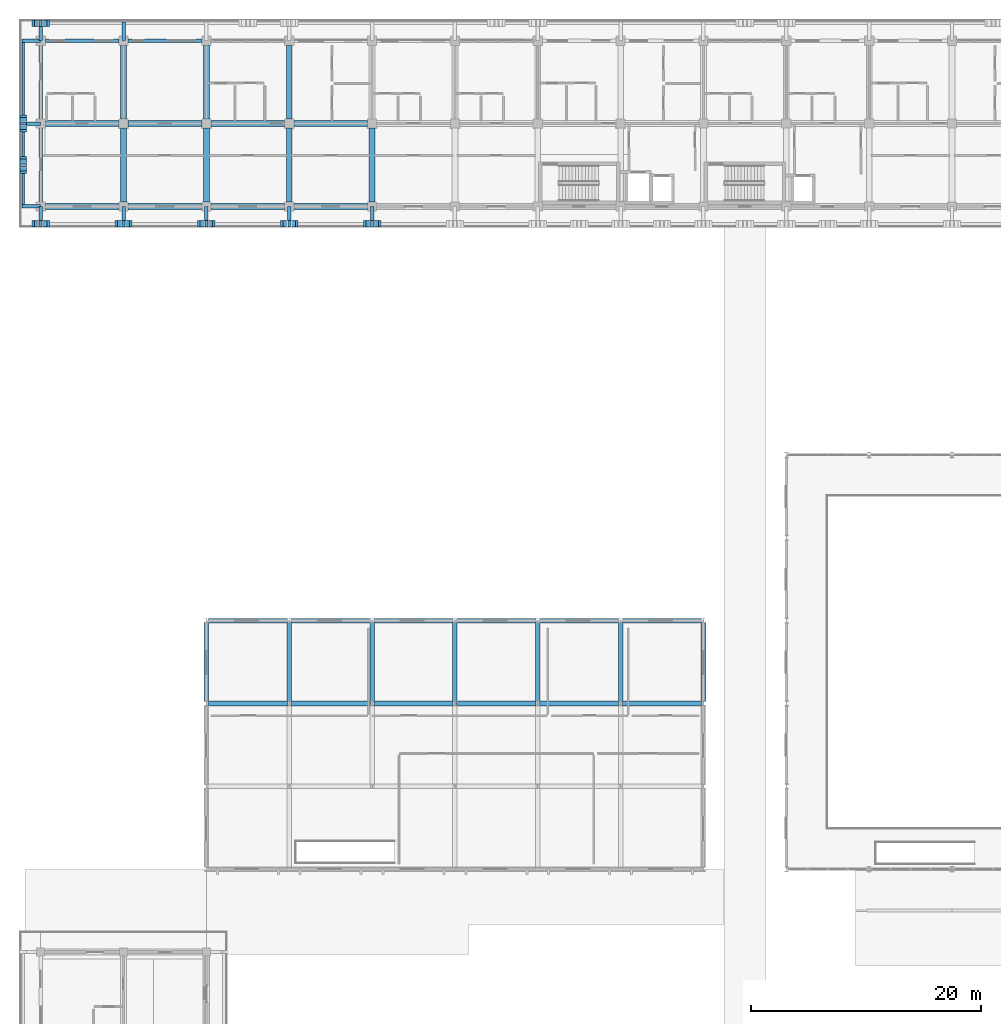
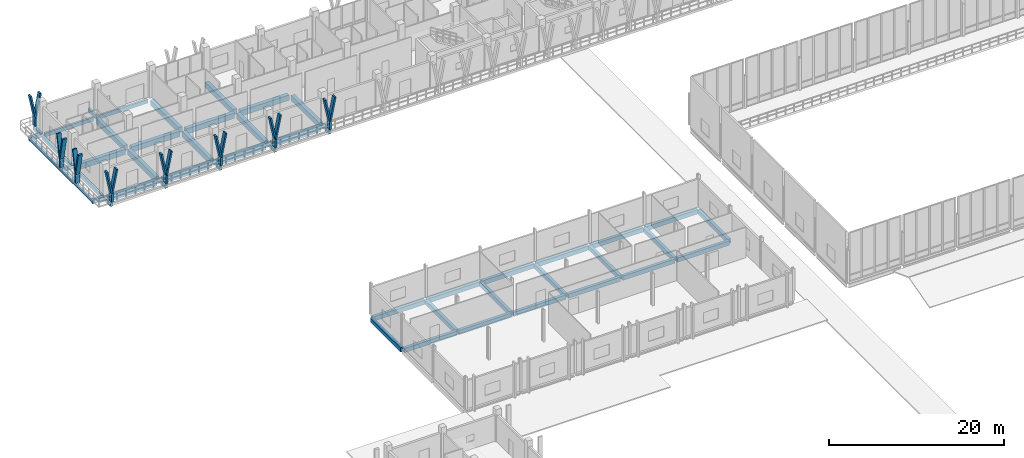
# One storey, part 26 of 110: 49 beams, 24 members.
"""IFC4 building model written with IfcOpenShell, lengths in metres."""

from ifc_helpers import new_model, si_unit, direction, frame, origin, origin_2d, place, context, subcontext, project, spatial, rectangle, extrude, material, material_profile, profile_set, type_object, element, save


model = new_model("IFC4")

# Units and contexts
model_context = context("Model", 3, precision=1e-05, world=origin(), true_north=direction((0.0, 1.0)))
body_context = subcontext(model_context, "Body", "Model", "MODEL_VIEW")
ifc_project = project(units=[si_unit("LENGTHUNIT", "METRE"), si_unit("AREAUNIT", "SQUARE_METRE"), si_unit("VOLUMEUNIT", "CUBIC_METRE"), si_unit("PLANEANGLEUNIT", "RADIAN"), si_unit("MASSUNIT", "GRAM", prefix="KILO")], contexts=[model_context])

# Site, building, storey
site_placement = place(None, origin())
site = spatial("IfcSite", under=ifc_project, at=site_placement, CompositionType="ELEMENT")
building_placement = place(site_placement, origin())
building = spatial("IfcBuilding", under=site, at=building_placement, Name="Suanplinth Sawtooth Commons", CompositionType="ELEMENT")
storey_placement = place(building_placement, frame((0.0, 0.0, 4.5)))
storey = spatial("IfcBuildingStorey", under=building, at=storey_placement, Name="L01", CompositionType="ELEMENT", Elevation=4.5)

# Beams
ifc_material_1 = material(Name="Concrete C40/50", Category="concrete")
ifc_material_profile_1 = material_profile(ifc_material_1, rectangle(XDim=0.5, YDim=0.75, at=origin_2d()), Name="RC-GDR 500x750")
ifc_profile_set_1 = profile_set([ifc_material_profile_1], Name="Concrete C40/50")
beam_type_1 = type_object("IfcBeamType", Name="B-03", PredefinedType="USERDEFINED", material=ifc_profile_set_1)
for number, where, z_axis, x_axis, name in (
    (1, (0.39990234375, 108.0, -0.675048828125), (1.0, 0.0, 0.0), (0.0, 1.0, 0.0), "BMX-L01-A-0-15"),
    (2, (0.39990234375, 115.199951171875, -0.675048828125), (1.0, 0.0, 0.0), (0.0, 1.0, 0.0), "BMX-L01-A-0-16"),
):
    element("IfcBeam", number, at=place(storey_placement, frame(where, z_axis=z_axis, x_axis=x_axis)), inside=storey, type_object=beam_type_1, Name=name, ObjectType="GIRDER", PredefinedType="USERDEFINED", context=body_context, shape_type="SweptSolid", body=[
        extrude(rectangle(XDim=0.5, YDim=0.75, at=origin_2d()), origin(), (0.0, 0.0, 1.0), 6.400146484375),
    ])
for number, where, z_axis, x_axis, name in (
    (3, (7.60009765625, 108.0, -0.675048828125), (1.0, 0.0, 0.0), (0.0, 1.0, 0.0), "BMX-L01-A-1-15"),
    (4, (7.60009765625, 115.199951171875, -0.675048828125), (1.0, 0.0, 0.0), (0.0, 1.0, 0.0), "BMX-L01-A-1-16"),
    (5, (14.800048828125, 108.0, -0.675048828125), (1.0, 0.0, 0.0), (0.0, 1.0, 0.0), "BMX-L01-A-2-15"),
    (6, (14.800048828125, 115.199951171875, -0.675048828125), (1.0, 0.0, 0.0), (0.0, 1.0, 0.0), "BMX-L01-A-2-16"),
    (7, (22.0, 108.0, -0.675048828125), (1.0, 0.0, 0.0), (0.0, 1.0, 0.0), "BMX-L01-A-3-15"),
    (8, (22.0, 115.199951171875, -0.675048828125), (1.0, 0.0, 0.0), (0.0, 1.0, 0.0), "BMX-L01-A-3-16"),
):
    element("IfcBeam", number, at=place(storey_placement, frame(where, z_axis=z_axis, x_axis=x_axis)), inside=storey, type_object=beam_type_1, Name=name, ObjectType="GIRDER", PredefinedType="USERDEFINED", context=body_context, shape_type="SweptSolid", body=[
        extrude(rectangle(XDim=0.5, YDim=0.75, at=origin_2d()), origin(), (0.0, 0.0, 1.0), 6.39990234375),
    ])
beam_1_placement = place(storey_placement, frame((7.199951171875, 108.39990234375, -0.675048828125), z_axis=(0.0, 1.0, 0.0), x_axis=(-1.0, 0.0, 0.0)))
element("IfcBeam", 9, at=beam_1_placement, inside=storey, type_object=beam_type_1, Name="BMY-L01-A-1-15", ObjectType="GIRDER", PredefinedType="USERDEFINED", context=body_context, shape_type="SweptSolid", body=[
    extrude(rectangle(XDim=0.5, YDim=0.75, at=origin_2d()), origin(), (0.0, 0.0, 1.0), 6.400146484375),
])
beam_2_placement = place(storey_placement, frame((7.199951171875, 115.60009765625, -0.675048828125), z_axis=(0.0, 1.0, 0.0), x_axis=(-1.0, 0.0, 0.0)))
element("IfcBeam", 10, at=beam_2_placement, inside=storey, type_object=beam_type_1, Name="BMY-L01-A-1-16", ObjectType="GIRDER", PredefinedType="USERDEFINED", context=body_context, shape_type="SweptSolid", body=[
    extrude(rectangle(XDim=0.5, YDim=0.75, at=origin_2d()), origin(), (0.0, 0.0, 1.0), 6.39990234375),
])
beam_3_placement = place(storey_placement, frame((14.39990234375, 108.39990234375, -0.675048828125), z_axis=(0.0, 1.0, 0.0), x_axis=(-1.0, 0.0, 0.0)))
element("IfcBeam", 11, at=beam_3_placement, inside=storey, type_object=beam_type_1, Name="BMY-L01-A-2-15", ObjectType="GIRDER", PredefinedType="USERDEFINED", context=body_context, shape_type="SweptSolid", body=[
    extrude(rectangle(XDim=0.5, YDim=0.75, at=origin_2d()), origin(), (0.0, 0.0, 1.0), 6.400146484375),
])
beam_4_placement = place(storey_placement, frame((14.39990234375, 115.60009765625, -0.675048828125), z_axis=(0.0, 1.0, 0.0), x_axis=(-1.0, 0.0, 0.0)))
element("IfcBeam", 12, at=beam_4_placement, inside=storey, type_object=beam_type_1, Name="BMY-L01-A-2-16", ObjectType="GIRDER", PredefinedType="USERDEFINED", context=body_context, shape_type="SweptSolid", body=[
    extrude(rectangle(XDim=0.5, YDim=0.75, at=origin_2d()), origin(), (0.0, 0.0, 1.0), 6.39990234375),
])
beam_5_placement = place(storey_placement, frame((21.60009765625, 108.39990234375, -0.675048828125), z_axis=(0.0, 1.0, 0.0), x_axis=(-1.0, 0.0, 0.0)))
element("IfcBeam", 13, at=beam_5_placement, inside=storey, type_object=beam_type_1, Name="BMY-L01-A-3-15", ObjectType="GIRDER", PredefinedType="USERDEFINED", context=body_context, shape_type="SweptSolid", body=[
    extrude(rectangle(XDim=0.5, YDim=0.75, at=origin_2d()), origin(), (0.0, 0.0, 1.0), 6.400146484375),
])
beam_6_placement = place(storey_placement, frame((21.60009765625, 115.60009765625, -0.675048828125), z_axis=(0.0, 1.0, 0.0), x_axis=(-1.0, 0.0, 0.0)))
element("IfcBeam", 14, at=beam_6_placement, inside=storey, type_object=beam_type_1, Name="BMY-L01-A-3-16", ObjectType="GIRDER", PredefinedType="USERDEFINED", context=body_context, shape_type="SweptSolid", body=[
    extrude(rectangle(XDim=0.5, YDim=0.75, at=origin_2d()), origin(), (0.0, 0.0, 1.0), 6.39990234375),
])
beam_7_placement = place(storey_placement, frame((28.800048828125, 108.39990234375, -0.675048828125), z_axis=(0.0, 1.0, 0.0), x_axis=(-1.0, 0.0, 0.0)))
element("IfcBeam", 15, at=beam_7_placement, inside=storey, type_object=beam_type_1, Name="BMY-L01-A-4-15", ObjectType="GIRDER", PredefinedType="USERDEFINED", context=body_context, shape_type="SweptSolid", body=[
    extrude(rectangle(XDim=0.5, YDim=0.75, at=origin_2d()), origin(), (0.0, 0.0, 1.0), 6.400146484375),
])
ifc_material_2 = material(Name="Precast concrete C40/50", Category="concrete")
ifc_material_profile_2 = material_profile(ifc_material_2, rectangle(XDim=0.39990234375, YDim=0.60009765625, at=origin_2d()), Name="PC-GDR 400x600")
ifc_profile_set_2 = profile_set([ifc_material_profile_2], Name="Precast concrete C40/50")
beam_type_2 = type_object("IfcBeamType", Name="B-05", PredefinedType="USERDEFINED", material=ifc_profile_set_2)
for number, where, z_axis, x_axis, name in (
    (16, (14.550048828125, 64.800048828125, -0.60009765625), (1.0, 0.0, 0.0), (0.0, 1.0, 0.0), "BMX-L01-MKT-2-9"),
    (17, (14.550048828125, 72.0, -0.60009765625), (1.0, 0.0, 0.0), (0.0, 1.0, 0.0), "BMX-L01-MKT-2-10"),
    (18, (21.75, 64.800048828125, -0.60009765625), (1.0, 0.0, 0.0), (0.0, 1.0, 0.0), "BMX-L01-MKT-3-9"),
    (19, (21.75, 72.0, -0.60009765625), (1.0, 0.0, 0.0), (0.0, 1.0, 0.0), "BMX-L01-MKT-3-10"),
):
    element("IfcBeam", number, at=place(storey_placement, frame(where, z_axis=z_axis, x_axis=x_axis)), inside=storey, type_object=beam_type_2, Name=name, ObjectType="GIRDER", PredefinedType="USERDEFINED", context=body_context, shape_type="SweptSolid", body=[
        extrude(rectangle(XDim=0.39990234375, YDim=0.60009765625, at=origin_2d()), origin(), (0.0, 0.0, 1.0), 6.89990234375),
    ])
for number, where, z_axis, x_axis, name in (
    (20, (28.949951171875, 64.800048828125, -0.60009765625), (1.0, 0.0, 0.0), (0.0, 1.0, 0.0), "BMX-L01-MKT-4-9"),
    (21, (28.949951171875, 72.0, -0.60009765625), (1.0, 0.0, 0.0), (0.0, 1.0, 0.0), "BMX-L01-MKT-4-10"),
    (22, (36.14990234375, 64.800048828125, -0.60009765625), (1.0, 0.0, 0.0), (0.0, 1.0, 0.0), "BMX-L01-MKT-5-9"),
    (23, (36.14990234375, 72.0, -0.60009765625), (1.0, 0.0, 0.0), (0.0, 1.0, 0.0), "BMX-L01-MKT-5-10"),
):
    element("IfcBeam", number, at=place(storey_placement, frame(where, z_axis=z_axis, x_axis=x_axis)), inside=storey, type_object=beam_type_2, Name=name, ObjectType="GIRDER", PredefinedType="USERDEFINED", context=body_context, shape_type="SweptSolid", body=[
        extrude(rectangle(XDim=0.39990234375, YDim=0.60009765625, at=origin_2d()), origin(), (0.0, 0.0, 1.0), 6.900146484375),
    ])
for number, where, z_axis, x_axis, name in (
    (24, (43.35009765625, 64.800048828125, -0.60009765625), (1.0, 0.0, 0.0), (0.0, 1.0, 0.0), "BMX-L01-MKT-6-9"),
    (25, (43.35009765625, 72.0, -0.60009765625), (1.0, 0.0, 0.0), (0.0, 1.0, 0.0), "BMX-L01-MKT-6-10"),
    (26, (50.550048828125, 64.800048828125, -0.60009765625), (1.0, 0.0, 0.0), (0.0, 1.0, 0.0), "BMX-L01-MKT-7-9"),
    (27, (50.550048828125, 72.0, -0.60009765625), (1.0, 0.0, 0.0), (0.0, 1.0, 0.0), "BMX-L01-MKT-7-10"),
):
    element("IfcBeam", number, at=place(storey_placement, frame(where, z_axis=z_axis, x_axis=x_axis)), inside=storey, type_object=beam_type_2, Name=name, ObjectType="GIRDER", PredefinedType="USERDEFINED", context=body_context, shape_type="SweptSolid", body=[
        extrude(rectangle(XDim=0.39990234375, YDim=0.60009765625, at=origin_2d()), origin(), (0.0, 0.0, 1.0), 6.89990234375),
    ])
for number, where, z_axis, x_axis, name in (
    (28, (14.39990234375, 64.949951171875, -0.60009765625), (0.0, 1.0, 0.0), (-1.0, 0.0, 0.0), "BMY-L01-MKT-2-9"),
    (29, (21.60009765625, 64.949951171875, -0.60009765625), (0.0, 1.0, 0.0), (-1.0, 0.0, 0.0), "BMY-L01-MKT-3-9"),
    (30, (28.800048828125, 64.949951171875, -0.60009765625), (0.0, 1.0, 0.0), (-1.0, 0.0, 0.0), "BMY-L01-MKT-4-9"),
    (31, (36.0, 64.949951171875, -0.60009765625), (0.0, 1.0, 0.0), (-1.0, 0.0, 0.0), "BMY-L01-MKT-5-9"),
    (32, (43.199951171875, 64.949951171875, -0.60009765625), (0.0, 1.0, 0.0), (-1.0, 0.0, 0.0), "BMY-L01-MKT-6-9"),
    (33, (50.39990234375, 64.949951171875, -0.60009765625), (0.0, 1.0, 0.0), (-1.0, 0.0, 0.0), "BMY-L01-MKT-7-9"),
    (34, (57.60009765625, 64.949951171875, -0.60009765625), (0.0, 1.0, 0.0), (-1.0, 0.0, 0.0), "BMY-L01-MKT-8-9"),
):
    element("IfcBeam", number, at=place(storey_placement, frame(where, z_axis=z_axis, x_axis=x_axis)), inside=storey, type_object=beam_type_2, Name=name, ObjectType="GIRDER", PredefinedType="USERDEFINED", context=body_context, shape_type="SweptSolid", body=[
        extrude(rectangle(XDim=0.39990234375, YDim=0.60009765625, at=origin_2d()), origin(), (0.0, 0.0, 1.0), 6.900146484375),
    ])
ifc_material_profile_3 = material_profile(ifc_material_2, rectangle(XDim=0.300048828125, YDim=0.5, at=origin_2d()), Name="PC-BM 300x500")
ifc_profile_set_3 = profile_set([ifc_material_profile_3], Name="Precast concrete C40/50")
beam_type_3 = type_object("IfcBeamType", Name="B-07", PredefinedType="BEAM", material=ifc_profile_set_3)
for number, where, z_axis, x_axis, name in (
    (35, (0.0, 122.39990234375, -0.429931640625), (0.0, 1.0, 0.0), (-1.0, 0.0, 0.0), "Balcony Outrigger L01-A-N-0"),
    (36, (7.199951171875, 122.39990234375, -0.429931640625), (0.0, 1.0, 0.0), (-1.0, 0.0, 0.0), "Balcony Outrigger L01-A-N-1"),
):
    element("IfcBeam", number, at=place(storey_placement, frame(where, z_axis=z_axis, x_axis=x_axis)), inside=storey, type_object=beam_type_3, Name=name, PredefinedType="BEAM", context=body_context, shape_type="SweptSolid", body=[
        extrude(rectangle(XDim=0.300048828125, YDim=0.5, at=origin_2d()), origin(), (0.0, 0.0, 1.0), 1.64013671875),
    ])
for number, where, z_axis, x_axis, name in (
    (37, (0.0, 108.0, -0.429931640625), (0.0, -1.0, 0.0), (1.0, 0.0, 0.0), "Balcony Outrigger L01-A-S-0"),
    (38, (7.199951171875, 108.0, -0.429931640625), (0.0, -1.0, 0.0), (1.0, 0.0, 0.0), "Balcony Outrigger L01-A-S-1"),
    (39, (14.39990234375, 108.0, -0.429931640625), (0.0, -1.0, 0.0), (1.0, 0.0, 0.0), "Balcony Outrigger L01-A-S-2"),
    (40, (21.60009765625, 108.0, -0.429931640625), (0.0, -1.0, 0.0), (1.0, 0.0, 0.0), "Balcony Outrigger L01-A-S-3"),
    (41, (28.800048828125, 108.0, -0.429931640625), (0.0, -1.0, 0.0), (1.0, 0.0, 0.0), "Balcony Outrigger L01-A-S-4"),
    (42, (0.0, 108.0, -0.429931640625), (-1.0, 0.0, 0.0), (0.0, -1.0, 0.0), "Balcony Outrigger L01-A-W-15"),
    (43, (0.0, 115.199951171875, -0.429931640625), (-1.0, 0.0, 0.0), (0.0, -1.0, 0.0), "Balcony Outrigger L01-A-W-16"),
    (44, (0.0, 122.39990234375, -0.429931640625), (-1.0, 0.0, 0.0), (0.0, -1.0, 0.0), "Balcony Outrigger L01-A-W-17"),
):
    element("IfcBeam", number, at=place(storey_placement, frame(where, z_axis=z_axis, x_axis=x_axis)), inside=storey, type_object=beam_type_3, Name=name, PredefinedType="BEAM", context=body_context, shape_type="SweptSolid", body=[
        extrude(rectangle(XDim=0.300048828125, YDim=0.5, at=origin_2d()), origin(), (0.0, 0.0, 1.0), 1.639892578125),
    ])
ifc_material_profile_4 = material_profile(ifc_material_2, rectangle(XDim=0.280029296875, YDim=0.52001953125, at=origin_2d()), Name="PC-SP 280x520")
ifc_profile_set_4 = profile_set([ifc_material_profile_4], Name="Precast concrete C40/50")
beam_type_4 = type_object("IfcBeamType", Name="B-08", PredefinedType="SPANDREL", material=ifc_profile_set_4)
beam_8_placement = place(storey_placement, frame((0.39990234375, 122.39990234375, -0.56005859375), z_axis=(1.0, 0.0, 0.0), x_axis=(0.0, 1.0, 0.0)))
element("IfcBeam", 45, at=beam_8_placement, inside=storey, type_object=beam_type_4, Name="BMX-L01-A-0-17", PredefinedType="SPANDREL", context=body_context, shape_type="SweptSolid", body=[
    extrude(rectangle(XDim=0.280029296875, YDim=0.52001953125, at=origin_2d()), origin(), (0.0, 0.0, 1.0), 6.400146484375),
])
beam_9_placement = place(storey_placement, frame((7.60009765625, 122.39990234375, -0.56005859375), z_axis=(1.0, 0.0, 0.0), x_axis=(0.0, 1.0, 0.0)))
element("IfcBeam", 46, at=beam_9_placement, inside=storey, type_object=beam_type_4, Name="BMX-L01-A-1-17", PredefinedType="SPANDREL", context=body_context, shape_type="SweptSolid", body=[
    extrude(rectangle(XDim=0.280029296875, YDim=0.52001953125, at=origin_2d()), origin(), (0.0, 0.0, 1.0), 6.39990234375),
])
beam_10_placement = place(storey_placement, frame((0.0, 108.39990234375, -0.56005859375), z_axis=(0.0, 1.0, 0.0), x_axis=(-1.0, 0.0, 0.0)))
element("IfcBeam", 47, at=beam_10_placement, inside=storey, type_object=beam_type_4, Name="BMY-L01-A-0-15", PredefinedType="SPANDREL", context=body_context, shape_type="SweptSolid", body=[
    extrude(rectangle(XDim=0.280029296875, YDim=0.52001953125, at=origin_2d()), origin(), (0.0, 0.0, 1.0), 6.400146484375),
])
beam_11_placement = place(storey_placement, frame((0.0, 115.60009765625, -0.56005859375), z_axis=(0.0, 1.0, 0.0), x_axis=(-1.0, 0.0, 0.0)))
element("IfcBeam", 48, at=beam_11_placement, inside=storey, type_object=beam_type_4, Name="BMY-L01-A-0-16", PredefinedType="SPANDREL", context=body_context, shape_type="SweptSolid", body=[
    extrude(rectangle(XDim=0.280029296875, YDim=0.52001953125, at=origin_2d()), origin(), (0.0, 0.0, 1.0), 6.39990234375),
])
ifc_material_profile_5 = material_profile(ifc_material_2, rectangle(XDim=0.25, YDim=0.449951171875, at=origin_2d()), Name="PC-SP 250x450")
ifc_profile_set_5 = profile_set([ifc_material_profile_5], Name="Precast concrete C40/50")
beam_type_5 = type_object("IfcBeamType", Name="B-09", PredefinedType="SPANDREL", material=ifc_profile_set_5)
beam_12_placement = place(storey_placement, frame((-1.52001953125, 107.85009765625, -0.405029296875), z_axis=(0.0, 1.0, 0.0), x_axis=(-1.0, 0.0, 0.0)))
element("IfcBeam", 49, at=beam_12_placement, inside=storey, type_object=beam_type_5, Name="Balcony Edge Fascia L01-A-W", PredefinedType="SPANDREL", context=body_context, shape_type="SweptSolid", body=[
    extrude(rectangle(XDim=0.25, YDim=0.449951171875, at=origin_2d()), origin(), (0.0, 0.0, 1.0), 14.699951171875),
])

# Members
ifc_material_3 = material(Name="Pigmented precast concrete C40/50", Category="concrete")
ifc_material_profile_6 = material_profile(ifc_material_3, rectangle(XDim=0.260009765625, YDim=0.550048828125, at=origin_2d()), Name="PC-FIN 260x550")
ifc_profile_set_6 = profile_set([ifc_material_profile_6], Name="Pigmented precast concrete C40/50")
member_type_1 = type_object("IfcMemberType", Name="M-09", PredefinedType="USERDEFINED", material=ifc_profile_set_6)
for number, where, z_axis, x_axis, name in (
    (50, (0.0, 123.919921875, 0.0), (0.0, 0.0, 1.0), (1.0, 0.0, 0.0), "Y-Blade Stem L01-A-N-01"),
    (51, (0.0, 106.47998046875, 0.0), (0.0, 0.0, 1.0), (1.0, 0.0, 0.0), "Y-Blade Stem L01-A-S-10"),
    (52, (7.199951171875, 106.47998046875, 0.0), (0.0, 0.0, 1.0), (1.0, 0.0, 0.0), "Y-Blade Stem L01-A-S-11"),
    (53, (14.39990234375, 106.47998046875, 0.0), (0.0, 0.0, 1.0), (1.0, 0.0, 0.0), "Y-Blade Stem L01-A-S-12"),
    (54, (21.60009765625, 106.47998046875, 0.0), (0.0, 0.0, 1.0), (1.0, 0.0, 0.0), "Y-Blade Stem L01-A-S-13"),
    (55, (28.800048828125, 106.47998046875, 0.0), (0.0, 0.0, 1.0), (1.0, 0.0, 0.0), "Y-Blade Stem L01-A-S-14"),
    (56, (-1.52001953125, 111.60009765625, 0.0), (0.0, 0.0, 1.0), (0.0, 1.0, 0.0), "Y-Blade Stem L01-A-W-31"),
    (57, (-1.52001953125, 115.199951171875, 0.0), (0.0, 0.0, 1.0), (0.0, 1.0, 0.0), "Y-Blade Stem L01-A-W-32"),
):
    element("IfcMember", number, at=place(storey_placement, frame(where, z_axis=z_axis, x_axis=x_axis)), inside=storey, type_object=member_type_1, Name=name, ObjectType="SHADING FIN", PredefinedType="USERDEFINED", context=body_context, shape_type="SweptSolid", body=[
        extrude(rectangle(XDim=0.260009765625, YDim=0.550048828125, at=origin_2d()), origin(), (0.0, 0.0, 1.0), 1.169921875),
    ])
ifc_material_profile_7 = material_profile(ifc_material_3, rectangle(XDim=0.219970703125, YDim=0.550048828125, at=origin_2d()), Name="PC-FIN 220x550")
ifc_profile_set_7 = profile_set([ifc_material_profile_7], Name="Pigmented precast concrete C40/50")
member_type_2 = type_object("IfcMemberType", Name="M-10", PredefinedType="USERDEFINED", material=ifc_profile_set_7)
for number, where, z_axis, x_axis, name in (
    (58, (0.0, 123.919921875, 1.1298828125), (-0.197582858822, 0.0, 0.980286189793), (0.980286189793, 0.0, 0.197582858822), "Y-Blade Arm L L01-A-N-01"),
    (59, (0.0, 123.919921875, 1.1298828125), (0.197582858822, 0.0, 0.980286189793), (-0.980286189793, 0.0, 0.197582858822), "Y-Blade Arm R L01-A-N-01"),
    (60, (0.0, 106.47998046875, 1.1298828125), (-0.197582858822, 0.0, 0.980286189793), (0.980286189793, 0.0, 0.197582858822), "Y-Blade Arm L L01-A-S-10"),
    (61, (0.0, 106.47998046875, 1.1298828125), (0.197582858822, 0.0, 0.980286189793), (-0.980286189793, 0.0, 0.197582858822), "Y-Blade Arm R L01-A-S-10"),
):
    element("IfcMember", number, at=place(storey_placement, frame(where, z_axis=z_axis, x_axis=x_axis)), inside=storey, type_object=member_type_2, Name=name, ObjectType="SHADING FIN", PredefinedType="USERDEFINED", context=body_context, shape_type="SweptSolid", body=[
        extrude(rectangle(XDim=0.219970703125, YDim=0.550048828125, at=origin_2d()), origin(), (0.0, 0.0, 1.0), 3.2646484375),
    ])
member_1_placement = place(storey_placement, frame((7.199951171875, 106.47998046875, 1.1298828125), z_axis=(-0.197510991436, 0.0, 0.980300672377), x_axis=(0.980300672377, 0.0, 0.197510991436)))
element("IfcMember", 62, at=member_1_placement, inside=storey, type_object=member_type_2, Name="Y-Blade Arm L L01-A-S-11", ObjectType="SHADING FIN", PredefinedType="USERDEFINED", context=body_context, shape_type="SweptSolid", body=[
    extrude(rectangle(XDim=0.219970703125, YDim=0.550048828125, at=origin_2d()), origin(), (0.0, 0.0, 1.0), 3.264404296875),
])
member_2_placement = place(storey_placement, frame((7.199951171875, 106.47998046875, 1.1298828125), z_axis=(0.197582858822, 0.0, 0.980286189793), x_axis=(-0.980286189793, 0.0, 0.197582858822)))
element("IfcMember", 63, at=member_2_placement, inside=storey, type_object=member_type_2, Name="Y-Blade Arm R L01-A-S-11", ObjectType="SHADING FIN", PredefinedType="USERDEFINED", context=body_context, shape_type="SweptSolid", body=[
    extrude(rectangle(XDim=0.219970703125, YDim=0.550048828125, at=origin_2d()), origin(), (0.0, 0.0, 1.0), 3.2646484375),
])
member_3_placement = place(storey_placement, frame((14.39990234375, 106.47998046875, 1.1298828125), z_axis=(-0.197510991436, 0.0, 0.980300672377), x_axis=(0.980300672377, 0.0, 0.197510991436)))
element("IfcMember", 64, at=member_3_placement, inside=storey, type_object=member_type_2, Name="Y-Blade Arm L L01-A-S-12", ObjectType="SHADING FIN", PredefinedType="USERDEFINED", context=body_context, shape_type="SweptSolid", body=[
    extrude(rectangle(XDim=0.219970703125, YDim=0.550048828125, at=origin_2d()), origin(), (0.0, 0.0, 1.0), 3.264404296875),
])
for number, where, z_axis, x_axis, name in (
    (65, (14.39990234375, 106.47998046875, 1.1298828125), (0.197582858822, 0.0, 0.980286189793), (-0.980286189793, 0.0, 0.197582858822), "Y-Blade Arm R L01-A-S-12"),
    (66, (21.60009765625, 106.47998046875, 1.1298828125), (-0.197582858822, 0.0, 0.980286189793), (0.980286189793, 0.0, 0.197582858822), "Y-Blade Arm L L01-A-S-13"),
):
    element("IfcMember", number, at=place(storey_placement, frame(where, z_axis=z_axis, x_axis=x_axis)), inside=storey, type_object=member_type_2, Name=name, ObjectType="SHADING FIN", PredefinedType="USERDEFINED", context=body_context, shape_type="SweptSolid", body=[
        extrude(rectangle(XDim=0.219970703125, YDim=0.550048828125, at=origin_2d()), origin(), (0.0, 0.0, 1.0), 3.2646484375),
    ])
member_4_placement = place(storey_placement, frame((21.60009765625, 106.47998046875, 1.1298828125), z_axis=(0.197510991436, 0.0, 0.980300672377), x_axis=(-0.980300672377, 0.0, 0.197510991436)))
element("IfcMember", 67, at=member_4_placement, inside=storey, type_object=member_type_2, Name="Y-Blade Arm R L01-A-S-13", ObjectType="SHADING FIN", PredefinedType="USERDEFINED", context=body_context, shape_type="SweptSolid", body=[
    extrude(rectangle(XDim=0.219970703125, YDim=0.550048828125, at=origin_2d()), origin(), (0.0, 0.0, 1.0), 3.264404296875),
])
member_5_placement = place(storey_placement, frame((28.800048828125, 106.47998046875, 1.1298828125), z_axis=(-0.197582858822, 0.0, 0.980286189793), x_axis=(0.980286189793, 0.0, 0.197582858822)))
element("IfcMember", 68, at=member_5_placement, inside=storey, type_object=member_type_2, Name="Y-Blade Arm L L01-A-S-14", ObjectType="SHADING FIN", PredefinedType="USERDEFINED", context=body_context, shape_type="SweptSolid", body=[
    extrude(rectangle(XDim=0.219970703125, YDim=0.550048828125, at=origin_2d()), origin(), (0.0, 0.0, 1.0), 3.2646484375),
])
member_6_placement = place(storey_placement, frame((28.800048828125, 106.47998046875, 1.1298828125), z_axis=(0.197510991436, 0.0, 0.980300672377), x_axis=(-0.980300672377, 0.0, 0.197510991436)))
element("IfcMember", 69, at=member_6_placement, inside=storey, type_object=member_type_2, Name="Y-Blade Arm R L01-A-S-14", ObjectType="SHADING FIN", PredefinedType="USERDEFINED", context=body_context, shape_type="SweptSolid", body=[
    extrude(rectangle(XDim=0.219970703125, YDim=0.550048828125, at=origin_2d()), origin(), (0.0, 0.0, 1.0), 3.264404296875),
])
member_7_placement = place(storey_placement, frame((-1.52001953125, 111.60009765625, 1.1298828125), z_axis=(0.0, -0.197582858822, 0.980286189793), x_axis=(0.0, 0.980286189793, 0.197582858822)))
element("IfcMember", 70, at=member_7_placement, inside=storey, type_object=member_type_2, Name="Y-Blade Arm L L01-A-W-31", ObjectType="SHADING FIN", PredefinedType="USERDEFINED", context=body_context, shape_type="SweptSolid", body=[
    extrude(rectangle(XDim=0.219970703125, YDim=0.550048828125, at=origin_2d()), origin(), (0.0, 0.0, 1.0), 3.2646484375),
])
for number, where, z_axis, x_axis, name in (
    (71, (-1.52001953125, 111.60009765625, 1.1298828125), (0.0, 0.197510991436, 0.980300672377), (0.0, -0.980300672377, 0.197510991436), "Y-Blade Arm R L01-A-W-31"),
    (72, (-1.52001953125, 115.199951171875, 1.1298828125), (0.0, -0.197510991436, 0.980300672377), (0.0, 0.980300672377, 0.197510991436), "Y-Blade Arm L L01-A-W-32"),
):
    element("IfcMember", number, at=place(storey_placement, frame(where, z_axis=z_axis, x_axis=x_axis)), inside=storey, type_object=member_type_2, Name=name, ObjectType="SHADING FIN", PredefinedType="USERDEFINED", context=body_context, shape_type="SweptSolid", body=[
        extrude(rectangle(XDim=0.219970703125, YDim=0.550048828125, at=origin_2d()), origin(), (0.0, 0.0, 1.0), 3.264404296875),
    ])
member_8_placement = place(storey_placement, frame((-1.52001953125, 115.199951171875, 1.1298828125), z_axis=(0.0, 0.197582858822, 0.980286189793), x_axis=(0.0, -0.980286189793, 0.197582858822)))
element("IfcMember", 73, at=member_8_placement, inside=storey, type_object=member_type_2, Name="Y-Blade Arm R L01-A-W-32", ObjectType="SHADING FIN", PredefinedType="USERDEFINED", context=body_context, shape_type="SweptSolid", body=[
    extrude(rectangle(XDim=0.219970703125, YDim=0.550048828125, at=origin_2d()), origin(), (0.0, 0.0, 1.0), 3.2646484375),
])

save(model, "model.ifc")
